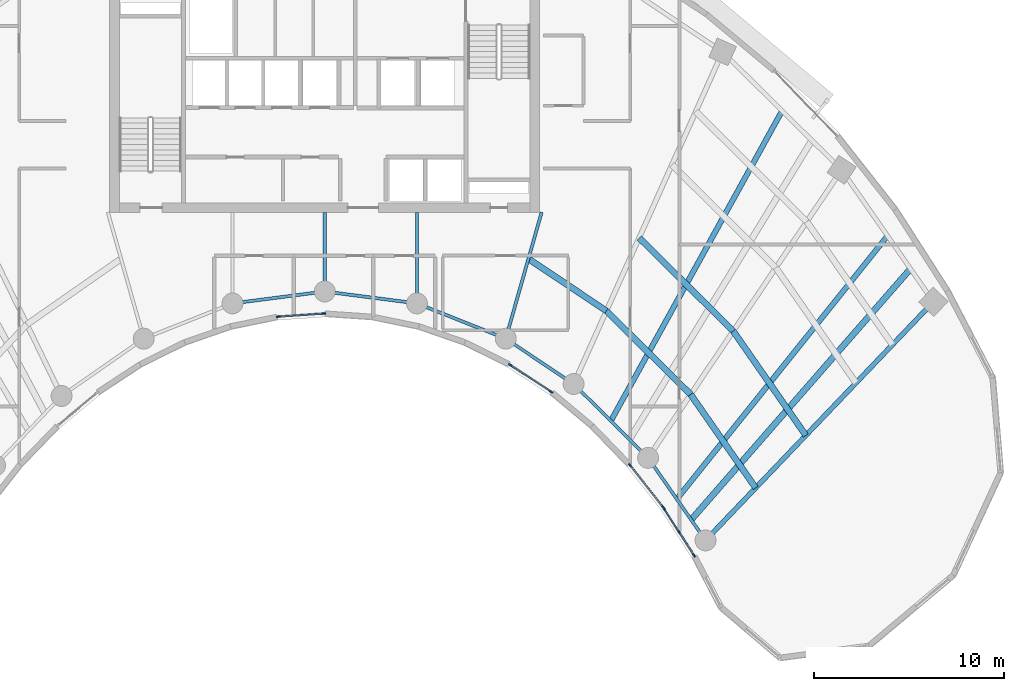
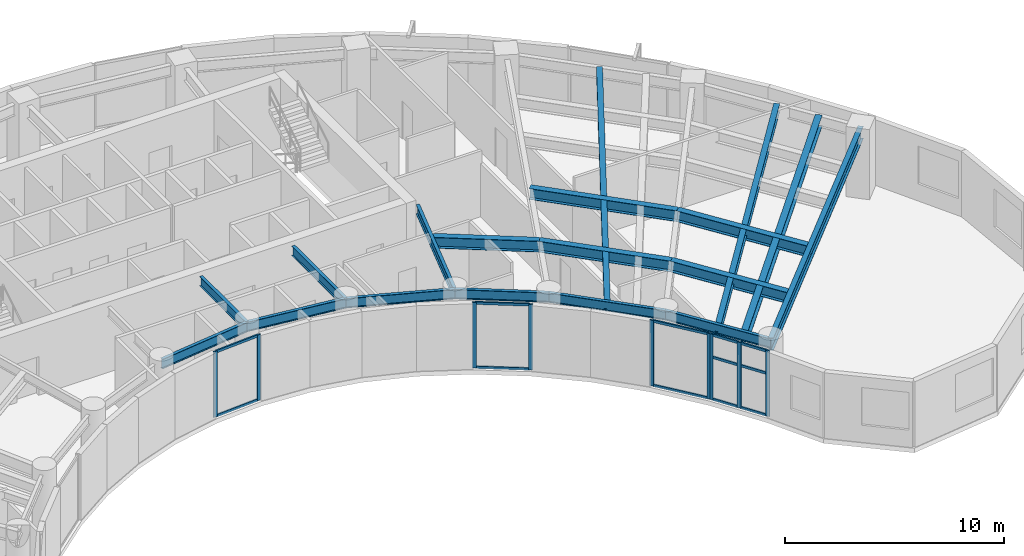
# One storey, part 3 of 13: 21 members, 18 beams, 4 elements without a shape of their own.
"""IFC4 building model written with IfcOpenShell, lengths in metres."""

from ifc_helpers import new_model, si_unit, direction, frame, origin, origin_2d, place, context, subcontext, project, spatial, rectangle, i_section, extrude, source, transform, mapped, material, layer, layer_set, material_profile, profile_set, type_object, type_shapes, element, aggregate, save


model = new_model("IFC4")

# Units and contexts
model_context = context("Model", 3, precision=1e-05, world=origin(), true_north=direction((0.0, 1.0)))
body_context = subcontext(model_context, "Body", "Model", "MODEL_VIEW")
ifc_project = project(units=[si_unit("LENGTHUNIT", "METRE"), si_unit("AREAUNIT", "SQUARE_METRE"), si_unit("VOLUMEUNIT", "CUBIC_METRE"), si_unit("PLANEANGLEUNIT", "RADIAN"), si_unit("MASSUNIT", "GRAM", prefix="KILO")], contexts=[model_context])

# Site, building, storey
site_placement = place(None, origin())
site = spatial("IfcSite", under=ifc_project, at=site_placement, CompositionType="ELEMENT")
building_placement = place(site_placement, origin())
building = spatial("IfcBuilding", under=site, at=building_placement, Name="Breltana Convention Tower", CompositionType="ELEMENT")
storey_placement = place(building_placement, frame((0.0, 0.0, 146.699951171875)))
storey = spatial("IfcBuildingStorey", under=building, at=storey_placement, Name="L35", CompositionType="ELEMENT", Elevation=146.699951171875)

# Beams
ifc_material_1 = material(Name="Steel ASTM A992 Grade 50", Category="steel")
ifc_material_profile_1 = material_profile(ifc_material_1, i_section(OverallWidth=0.25390625, OverallDepth=0.68798828125, WebThickness=0.01318359375, FlangeThickness=0.02099609375, at=origin_2d()), Name="W27X102")
ifc_profile_set_1 = profile_set([ifc_material_profile_1], Name="Steel ASTM A992 Grade 50")
beam_type_1 = type_object("IfcBeamType", Name="BM-RG-W27X102", PredefinedType="USERDEFINED", material=ifc_profile_set_1)
shared_shape_1 = source(origin(), body_context, "Body", "SweptSolid", [
    extrude(i_section(OverallWidth=0.25390625, OverallDepth=0.68798828125, WebThickness=0.01318359375, FlangeThickness=0.02099609375, at=origin_2d()), origin(), (0.0, 0.0, 1.0), 17.341064453125),
])
type_shapes(beam_type_1, [shared_shape_1])
beam_1_placement = place(storey_placement, frame((68.015380859375, 42.95458984375, 3.30615234375), z_axis=(0.690716462293, 0.723125693581, 0.0), x_axis=(-0.723125693581, 0.690716462293, 0.0)))
element("IfcBeam", 1, at=beam_1_placement, inside=storey, type_object=beam_type_1, Name="L35 Radial Floor Girder R11", ObjectType="GIRDER", PredefinedType="USERDEFINED", context=body_context, shape_type="MappedRepresentation", body=[
    mapped(shared_shape_1, transform((0.0, 0.0, 0.0), scale=1.0)),
])
ifc_material_profile_2 = material_profile(ifc_material_1, i_section(OverallWidth=0.166015625, OverallDepth=0.534912109375, WebThickness=0.01025390625, FlangeThickness=0.0166015625, at=origin_2d()), Name="W21X57")
ifc_profile_set_2 = profile_set([ifc_material_profile_2], Name="Steel ASTM A992 Grade 50")
beam_type_2 = type_object("IfcBeamType", Name="BM-BM-W21X57", PredefinedType="BEAM", material=ifc_profile_set_2)
shared_shape_2 = source(origin(), body_context, "Body", "SweptSolid", [
    extrude(i_section(OverallWidth=0.166015625, OverallDepth=0.534912109375, WebThickness=0.01025390625, FlangeThickness=0.0166015625, at=origin_2d()), origin(), (0.0, 0.0, 1.0), 6.904541015625),
])
type_shapes(beam_type_2, [shared_shape_2])
beam_2_placement = place(storey_placement, frame((59.39990234375, 60.199951171875, 3.382568359375), z_axis=(-0.273006781054, -0.962012108811, 0.0), x_axis=(0.962012108811, -0.273006781054, 0.0)))
element("IfcBeam", 2, at=beam_2_placement, inside=storey, type_object=beam_type_2, Name="L35 South Core Tie Girder R08", PredefinedType="BEAM", context=body_context, shape_type="MappedRepresentation", body=[
    mapped(shared_shape_2, transform((0.0, 0.0, 0.0), scale=1.0)),
])
shared_shape_3 = source(origin(), body_context, "Body", "SweptSolid", [
    extrude(i_section(OverallWidth=0.166015625, OverallDepth=0.534912109375, WebThickness=0.01025390625, FlangeThickness=0.0166015625, at=origin_2d()), origin(), (0.0, 0.0, 1.0), 4.789306640625),
])
beam_3_placement = place(storey_placement, frame((52.846435546875, 60.199951171875, 3.382568359375), z_axis=(0.0, -1.0, 0.0), x_axis=(1.0, 0.0, 0.0)))
element("IfcBeam", 3, at=beam_3_placement, inside=storey, type_object=beam_type_2, Name="L35 South Core Tie Girder R07", PredefinedType="BEAM", context=body_context, shape_type="MappedRepresentation", body=[
    mapped(shared_shape_3, transform((0.0, 0.0, 0.0), scale=1.0)),
])
shared_shape_4 = source(origin(), body_context, "Body", "SweptSolid", [
    extrude(i_section(OverallWidth=0.166015625, OverallDepth=0.534912109375, WebThickness=0.01025390625, FlangeThickness=0.0166015625, at=origin_2d()), origin(), (0.0, 0.0, 1.0), 4.1640625),
])
beam_4_placement = place(storey_placement, frame((48.0, 60.199951171875, 3.382568359375), z_axis=(0.0, -1.0, 0.0), x_axis=(1.0, 0.0, 0.0)))
element("IfcBeam", 4, at=beam_4_placement, inside=storey, type_object=beam_type_2, Name="L35 South Core Tie Girder R06", PredefinedType="BEAM", context=body_context, shape_type="MappedRepresentation", body=[
    mapped(shared_shape_4, transform((0.0, 0.0, 0.0), scale=1.0)),
])
shared_shape_5 = source(origin(), body_context, "Body", "SweptSolid", [
    extrude(i_section(OverallWidth=0.166015625, OverallDepth=0.534912109375, WebThickness=0.01025390625, FlangeThickness=0.0166015625, at=origin_2d()), origin(), (0.0, 0.0, 1.0), 5.022705078125),
])
beam_5_placement = place(storey_placement, frame((52.846435546875, 55.41064453125, 3.382568359375), z_axis=(0.929458966248, -0.368925507469, 0.0), x_axis=(0.368925507469, 0.929458966248, 0.0)))
element("IfcBeam", 5, at=beam_5_placement, inside=storey, type_object=beam_type_2, Name="L35 Inner Ring Beam 07", PredefinedType="BEAM", context=body_context, shape_type="MappedRepresentation", body=[
    mapped(shared_shape_5, transform((0.0, 0.0, 0.0), scale=1.0)),
])
shared_shape_6 = source(origin(), body_context, "Body", "SweptSolid", [
    extrude(i_section(OverallWidth=0.166015625, OverallDepth=0.534912109375, WebThickness=0.01025390625, FlangeThickness=0.0166015625, at=origin_2d()), origin(), (0.0, 0.0, 1.0), 4.88671875),
])
for number, where, z_axis, x_axis, name in (
    (6, (43.153564453125, 55.41064453125, 3.382568359375), (0.991780525565, 0.127950729231, 0.0), (-0.127950729231, 0.991780525565, 0.0), "L35 Inner Ring Beam 05"),
    (7, (48.0, 56.035888671875, 3.382568359375), (0.991780525565, -0.127950729231, 0.0), (0.127950729231, 0.991780525565, 0.0), "L35 Inner Ring Beam 06"),
):
    element("IfcBeam", number, at=place(storey_placement, frame(where, z_axis=z_axis, x_axis=x_axis)), inside=storey, type_object=beam_type_2, Name=name, PredefinedType="BEAM", context=body_context, shape_type="MappedRepresentation", body=[
        mapped(shared_shape_6, transform((0.0, 0.0, 0.0), scale=1.0)),
    ])
shared_shape_7 = source(origin(), body_context, "Body", "SweptSolid", [
    extrude(i_section(OverallWidth=0.166015625, OverallDepth=0.534912109375, WebThickness=0.01025390625, FlangeThickness=0.0166015625, at=origin_2d()), origin(), (0.0, 0.0, 1.0), 4.2900390625),
])
beam_6_placement = place(storey_placement, frame((57.514892578125, 53.5576171875, 3.382568359375), z_axis=(0.831515827753, -0.555501060482, 0.0), x_axis=(0.555501060482, 0.831515827753, 0.0)))
element("IfcBeam", 8, at=beam_6_placement, inside=storey, type_object=beam_type_2, Name="L35 Inner Ring Beam 08", PredefinedType="BEAM", context=body_context, shape_type="MappedRepresentation", body=[
    mapped(shared_shape_7, transform((0.0, 0.0, 0.0), scale=1.0)),
])
shared_shape_8 = source(origin(), body_context, "Body", "SweptSolid", [
    extrude(i_section(OverallWidth=0.166015625, OverallDepth=0.534912109375, WebThickness=0.01025390625, FlangeThickness=0.0166015625, at=origin_2d()), origin(), (0.0, 0.0, 1.0), 5.51171875),
])
beam_7_placement = place(storey_placement, frame((61.08203125, 51.174560546875, 3.382568359375), z_axis=(0.710090360749, -0.704110559196, 0.0), x_axis=(0.704110559196, 0.710090360749, 0.0)))
element("IfcBeam", 9, at=beam_7_placement, inside=storey, type_object=beam_type_2, Name="L35 Inner Ring Beam 09", PredefinedType="BEAM", context=body_context, shape_type="MappedRepresentation", body=[
    mapped(shared_shape_8, transform((0.0, 0.0, 0.0), scale=1.0)),
])
shared_shape_9 = source(origin(), body_context, "Body", "SweptSolid", [
    extrude(i_section(OverallWidth=0.166015625, OverallDepth=0.534912109375, WebThickness=0.01025390625, FlangeThickness=0.0166015625, at=origin_2d()), origin(), (0.0, 0.0, 1.0), 5.286376953125),
])
beam_8_placement = place(storey_placement, frame((64.995849609375, 47.293701171875, 3.382568359375), z_axis=(0.571194382458, -0.82081482531, 0.0), x_axis=(0.82081482531, 0.571194382458, 0.0)))
element("IfcBeam", 10, at=beam_8_placement, inside=storey, type_object=beam_type_2, Name="L35 Inner Ring Beam 10", PredefinedType="BEAM", context=body_context, shape_type="MappedRepresentation", body=[
    mapped(shared_shape_9, transform((0.0, 0.0, 0.0), scale=1.0)),
])
ifc_material_profile_3 = material_profile(ifc_material_1, i_section(OverallWidth=0.323974609375, OverallDepth=0.611083984375, WebThickness=0.0126953125, FlangeThickness=0.01904296875, at=origin_2d()), Name="W24X104")
ifc_profile_set_3 = profile_set([ifc_material_profile_3], Name="Steel ASTM A992 Grade 50")
beam_type_3 = type_object("IfcBeamType", Name="BM-JSG-01", PredefinedType="JOIST", material=ifc_profile_set_3)
shared_shape_10 = source(origin(), body_context, "Body", "SweptSolid", [
    extrude(i_section(OverallWidth=0.323974609375, OverallDepth=0.611083984375, WebThickness=0.0126953125, FlangeThickness=0.01904296875, at=origin_2d()), origin(), (0.0, 0.0, 1.0), 4.854736328125),
])
beam_9_placement = place(storey_placement, frame((58.767578125, 57.71240234375, 3.344482421875), z_axis=(0.831485074305, -0.555547091801, 0.0), x_axis=(0.555547091801, 0.831485074305, 0.0)))
element("IfcBeam", 11, at=beam_9_placement, inside=storey, type_object=beam_type_3, Name="L35 Composite Floor Joist 08.1", PredefinedType="JOIST", context=body_context, shape_type="MappedRepresentation", body=[
    mapped(shared_shape_10, transform((0.0, 0.0, 0.0), scale=1.0)),
])
shared_shape_11 = source(origin(), body_context, "Body", "SweptSolid", [
    extrude(i_section(OverallWidth=0.323974609375, OverallDepth=0.611083984375, WebThickness=0.0126953125, FlangeThickness=0.01904296875, at=origin_2d()), origin(), (0.0, 0.0, 1.0), 6.2373046875),
])
beam_10_placement = place(storey_placement, frame((62.80419921875, 55.015380859375, 3.344482421875), z_axis=(0.710114292485, -0.704086423394, 0.0), x_axis=(0.704086423394, 0.710114292485, 0.0)))
element("IfcBeam", 12, at=beam_10_placement, inside=storey, type_object=beam_type_3, Name="L35 Composite Floor Joist 09.1", PredefinedType="JOIST", context=body_context, shape_type="MappedRepresentation", body=[
    mapped(shared_shape_11, transform((0.0, 0.0, 0.0), scale=1.0)),
])
shared_shape_12 = source(origin(), body_context, "Body", "SweptSolid", [
    extrude(i_section(OverallWidth=0.323974609375, OverallDepth=0.611083984375, WebThickness=0.0126953125, FlangeThickness=0.01904296875, at=origin_2d()), origin(), (0.0, 0.0, 1.0), 6.963134765625),
])
beam_11_placement = place(storey_placement, frame((64.526611328125, 58.8564453125, 3.344482421875), z_axis=(0.71009817493, -0.704102678564, 0.0), x_axis=(0.704102678564, 0.71009817493, 0.0)))
element("IfcBeam", 13, at=beam_11_placement, inside=storey, type_object=beam_type_3, Name="L35 Composite Floor Joist 09.2", PredefinedType="JOIST", context=body_context, shape_type="MappedRepresentation", body=[
    mapped(shared_shape_12, transform((0.0, 0.0, 0.0), scale=1.0)),
])
ifc_material_profile_4 = material_profile(ifc_material_1, i_section(OverallWidth=0.280029296875, OverallDepth=0.462890625, WebThickness=0.0107421875, FlangeThickness=0.017333984375, at=origin_2d()), Name="W18X76")
ifc_profile_set_4 = profile_set([ifc_material_profile_4], Name="Steel ASTM A992 Grade 50")
beam_type_4 = type_object("IfcBeamType", Name="BM-JSG-06", PredefinedType="JOIST", material=ifc_profile_set_4)
shared_shape_13 = source(origin(), body_context, "Body", "SweptSolid", [
    extrude(i_section(OverallWidth=0.280029296875, OverallDepth=0.462890625, WebThickness=0.0107421875, FlangeThickness=0.017333984375, at=origin_2d()), origin(), (0.0, 0.0, 1.0), 18.617431640625),
])
beam_12_placement = place(storey_placement, frame((63.038818359375, 49.234130859375, 3.41845703125), z_axis=(0.483405602507, 0.875396495004, 0.0), x_axis=(-0.875396495004, 0.483405602507, 0.0)))
element("IfcBeam", 14, at=beam_12_placement, inside=storey, type_object=beam_type_4, Name="L35 Mid-Bay Radial Trimmer 09", PredefinedType="JOIST", context=body_context, shape_type="MappedRepresentation", body=[
    mapped(shared_shape_13, transform((0.0, 0.0, 0.0), scale=1.0)),
])
shared_shape_14 = source(origin(), body_context, "Body", "SweptSolid", [
    extrude(i_section(OverallWidth=0.323974609375, OverallDepth=0.611083984375, WebThickness=0.0126953125, FlangeThickness=0.01904296875, at=origin_2d()), origin(), (0.0, 0.0, 1.0), 5.982421875),
])
beam_13_placement = place(storey_placement, frame((67.2333984375, 50.623779296875, 3.344482421875), z_axis=(0.571211549446, -0.82080287876, 0.0), x_axis=(0.82080287876, 0.571211549446, 0.0)))
element("IfcBeam", 15, at=beam_13_placement, inside=storey, type_object=beam_type_3, Name="L35 Composite Floor Joist 10.1", PredefinedType="JOIST", context=body_context, shape_type="MappedRepresentation", body=[
    mapped(shared_shape_14, transform((0.0, 0.0, 0.0), scale=1.0)),
])
shared_shape_15 = source(origin(), body_context, "Body", "SweptSolid", [
    extrude(i_section(OverallWidth=0.323974609375, OverallDepth=0.611083984375, WebThickness=0.0126953125, FlangeThickness=0.01904296875, at=origin_2d()), origin(), (0.0, 0.0, 1.0), 6.677978515625),
])
beam_14_placement = place(storey_placement, frame((69.47119140625, 53.95361328125, 3.344482421875), z_axis=(0.571193018768, -0.820815774282, 0.0), x_axis=(0.820815774282, 0.571193018768, 0.0)))
element("IfcBeam", 16, at=beam_14_placement, inside=storey, type_object=beam_type_3, Name="L35 Composite Floor Joist 10.2", PredefinedType="JOIST", context=body_context, shape_type="MappedRepresentation", body=[
    mapped(shared_shape_15, transform((0.0, 0.0, 0.0), scale=1.0)),
])
shared_shape_16 = source(origin(), body_context, "Body", "SweptSolid", [
    extrude(i_section(OverallWidth=0.280029296875, OverallDepth=0.462890625, WebThickness=0.0107421875, FlangeThickness=0.017333984375, at=origin_2d()), origin(), (0.0, 0.0, 1.0), 17.7236328125),
])
beam_15_placement = place(storey_placement, frame((66.505615234375, 45.124267578125, 3.41845703125), z_axis=(0.624829427563, 0.78076128647, 0.0), x_axis=(-0.78076128647, 0.624829427563, 0.0)))
element("IfcBeam", 17, at=beam_15_placement, inside=storey, type_object=beam_type_4, Name="L35 Mid-Bay Radial Trimmer 10", PredefinedType="JOIST", context=body_context, shape_type="MappedRepresentation", body=[
    mapped(shared_shape_16, transform((0.0, 0.0, 0.0), scale=1.0)),
])
shared_shape_17 = source(origin(), body_context, "Body", "SweptSolid", [
    extrude(i_section(OverallWidth=0.323974609375, OverallDepth=0.611083984375, WebThickness=0.0126953125, FlangeThickness=0.01904296875, at=origin_2d()), origin(), (0.0, 0.0, 1.0), 17.515625),
])
beam_16_placement = place(storey_placement, frame((67.260498046875, 44.03955078125, 3.344482421875), z_axis=(0.658051548324, 0.752972881151, 0.0), x_axis=(-0.752972881151, 0.658051548324, 0.0)))
element("IfcBeam", 18, at=beam_16_placement, inside=storey, type_object=beam_type_3, Name="L35 Quarter-Bay Radial Trimmer 10", PredefinedType="JOIST", context=body_context, shape_type="MappedRepresentation", body=[
    mapped(shared_shape_17, transform((0.0, 0.0, 0.0), scale=1.0)),
])

# Curtain wall, members
ifc_material_2 = material(Name="Aluminium Anodised Bronze Frame", Category="aluminium")
ifc_layer = layer(ifc_material_2, 0.18994140625, Name="Aluminium Anodised Bronze Frame")
ifc_layer_set = layer_set([ifc_layer], Name="Aluminium Anodised Bronze Frame")
curtain_wall_type = type_object("IfcCurtainWallType", Name="CW-SYS-1", PredefinedType="NOTDEFINED", material=ifc_layer_set)
curtain_wall_1_placement = place(storey_placement, origin())
curtain_wall_1 = element("IfcCurtainWall", 19, at=curtain_wall_1_placement, inside=storey, type_object=curtain_wall_type, Name="L35 inner south-court glazing 1", PredefinedType="NOTDEFINED")
ifc_material_3 = material(Name="Aluminium Anodised Bronze", Category="aluminium")
ifc_material_profile_5 = material_profile(ifc_material_3, rectangle(XDim=0.080078125, YDim=0.199951171875, at=origin_2d()), Name="CWM-80X200")
ifc_profile_set_5 = profile_set([ifc_material_profile_5], Name="Aluminium Anodised Bronze")
member_type_1 = type_object("IfcMemberType", Name="CWM-200", PredefinedType="MULLION", material=ifc_profile_set_5)
shared_shape_18 = source(origin(), body_context, "Body", "SweptSolid", [
    extrude(rectangle(XDim=0.080078125, YDim=0.199951171875, at=origin_2d()), origin(), (0.0, 0.0, 1.0), 3.650146484375),
])
member_1_placement = place(storey_placement, frame((67.40966796875, 42.17041015625, 0.0), z_axis=(0.0, 0.0, 1.0), x_axis=(-0.841546744491, -0.540184298954, 0.0)))
member_1 = element("IfcMember", 20, at=member_1_placement, type_object=member_type_1, Name="CW-01 mullion 1", PredefinedType="MULLION", context=body_context, shape_type="MappedRepresentation", body=[
    mapped(shared_shape_18, transform((0.0, 0.0, 0.0), scale=1.0)),
])
member_2_placement = place(storey_placement, frame((66.626220703125, 43.390869140625, 0.0), z_axis=(0.0, 0.0, 1.0), x_axis=(-0.841546744491, -0.540184298954, 0.0)))
member_2 = element("IfcMember", 21, at=member_2_placement, type_object=member_type_1, Name="CW-01 mullion 2", PredefinedType="MULLION", context=body_context, shape_type="MappedRepresentation", body=[
    mapped(shared_shape_18, transform((0.0, 0.0, 0.0), scale=1.0)),
])
member_3_placement = place(storey_placement, frame((65.843017578125, 44.611328125, 0.0), z_axis=(0.0, 0.0, 1.0), x_axis=(-0.841546744491, -0.540184298954, 0.0)))
member_3 = element("IfcMember", 22, at=member_3_placement, type_object=member_type_1, Name="CW-01 mullion 3", PredefinedType="MULLION", context=body_context, shape_type="MappedRepresentation", body=[
    mapped(shared_shape_18, transform((0.0, 0.0, 0.0), scale=1.0)),
])

curtain_wall_2_placement = place(storey_placement, origin())
curtain_wall_2 = element("IfcCurtainWall", 23, at=curtain_wall_2_placement, inside=storey, type_object=curtain_wall_type, Name="L35 inner south-court glazing 2", PredefinedType="NOTDEFINED")
member_4_placement = place(storey_placement, frame((65.78662109375, 44.6904296875, 0.0), z_axis=(0.0, 0.0, 1.0), x_axis=(-0.786051168431, -0.618161435717, 0.0)))
member_4 = element("IfcMember", 24, at=member_4_placement, type_object=member_type_1, Name="CW-01 mullion 1", PredefinedType="MULLION", context=body_context, shape_type="MappedRepresentation", body=[
    mapped(shared_shape_18, transform((0.0, 0.0, 0.0), scale=1.0)),
])
member_5_placement = place(storey_placement, frame((64.045166015625, 46.905029296875, 0.0), z_axis=(0.0, 0.0, 1.0), x_axis=(-0.786051168431, -0.618161435717, 0.0)))
member_5 = element("IfcMember", 25, at=member_5_placement, type_object=member_type_1, Name="CW-01 mullion 2", PredefinedType="MULLION", context=body_context, shape_type="MappedRepresentation", body=[
    mapped(shared_shape_18, transform((0.0, 0.0, 0.0), scale=1.0)),
])

curtain_wall_3_placement = place(storey_placement, origin())
curtain_wall_3 = element("IfcCurtainWall", 26, at=curtain_wall_3_placement, inside=storey, type_object=curtain_wall_type, Name="L35 inner south-court glazing 3", PredefinedType="NOTDEFINED")
member_6_placement = place(storey_placement, frame((59.894775390625, 50.76904296875, 0.0), z_axis=(0.0, 0.0, 1.0), x_axis=(-0.548751973252, -0.835985210307, 0.0)))
member_6 = element("IfcMember", 27, at=member_6_placement, type_object=member_type_1, Name="CW-01 mullion 1", PredefinedType="MULLION", context=body_context, shape_type="MappedRepresentation", body=[
    mapped(shared_shape_18, transform((0.0, 0.0, 0.0), scale=1.0)),
])
member_7_placement = place(storey_placement, frame((57.744384765625, 52.1806640625, 0.0), z_axis=(0.0, 0.0, 1.0), x_axis=(-0.548751973252, -0.835985210307, 0.0)))
member_7 = element("IfcMember", 28, at=member_7_placement, type_object=member_type_1, Name="CW-01 mullion 2", PredefinedType="MULLION", context=body_context, shape_type="MappedRepresentation", body=[
    mapped(shared_shape_18, transform((0.0, 0.0, 0.0), scale=1.0)),
])

curtain_wall_4_placement = place(storey_placement, origin())
curtain_wall_4 = element("IfcCurtainWall", 29, at=curtain_wall_4_placement, inside=storey, type_object=curtain_wall_type, Name="L35 inner south-court glazing 4", PredefinedType="NOTDEFINED")
member_8_placement = place(storey_placement, frame((47.947998046875, 54.872802734375, 0.0), z_axis=(0.0, 0.0, 1.0), x_axis=(0.067732810965, -0.997703496195, 0.0)))
member_8 = element("IfcMember", 30, at=member_8_placement, type_object=member_type_1, Name="CW-01 mullion 1", PredefinedType="MULLION", context=body_context, shape_type="MappedRepresentation", body=[
    mapped(shared_shape_18, transform((0.0, 0.0, 0.0), scale=1.0)),
])
member_9_placement = place(storey_placement, frame((45.56201171875, 54.7109375, 0.0), z_axis=(0.0, 0.0, 1.0), x_axis=(0.067732810965, -0.997703496195, 0.0)))
member_9 = element("IfcMember", 31, at=member_9_placement, type_object=member_type_1, Name="CW-01 mullion 2", PredefinedType="MULLION", context=body_context, shape_type="MappedRepresentation", body=[
    mapped(shared_shape_18, transform((0.0, 0.0, 0.0), scale=1.0)),
])

# Member
ifc_material_profile_6 = material_profile(ifc_material_3, rectangle(XDim=0.080078125, YDim=0.139892578125, at=origin_2d()), Name="CWT-80X140")
ifc_profile_set_6 = profile_set([ifc_material_profile_6], Name="Aluminium Anodised Bronze")
member_type_2 = type_object("IfcMemberType", Name="CWT-140", PredefinedType="USERDEFINED", material=ifc_profile_set_6)
shared_shape_19 = source(origin(), body_context, "Body", "SweptSolid", [
    extrude(rectangle(XDim=0.080078125, YDim=0.139892578125, at=origin_2d()), origin(), (0.0, 0.0, 1.0), 1.3701171875),
])
member_10_placement = place(storey_placement, frame((67.38818359375, 42.2041015625, 0.0400390625), z_axis=(-0.540226175019, 0.841519863, 0.0), x_axis=(-0.841519863, -0.540226175019, 0.0)))
member_10 = element("IfcMember", 32, at=member_10_placement, type_object=member_type_2, Name="CW-01 transom 1.1", ObjectType="TRANSOM", PredefinedType="USERDEFINED", context=body_context, shape_type="MappedRepresentation", body=[
    mapped(shared_shape_19, transform((0.0, 0.0, 0.0), scale=1.0)),
])

member_11_placement = place(storey_placement, frame((67.38818359375, 42.2041015625, 2.37255859375), z_axis=(-0.540226175019, 0.841519863, 0.0), x_axis=(-0.841519863, -0.540226175019, 0.0)))
member_11 = element("IfcMember", 33, at=member_11_placement, type_object=member_type_2, Name="CW-01 transom 1.2", ObjectType="TRANSOM", PredefinedType="USERDEFINED", context=body_context, shape_type="MappedRepresentation", body=[
    mapped(shared_shape_19, transform((0.0, 0.0, 0.0), scale=1.0)),
])

member_12_placement = place(storey_placement, frame((67.38818359375, 42.2041015625, 3.610107421875), z_axis=(-0.540226175019, 0.841519863, 0.0), x_axis=(-0.841519863, -0.540226175019, 0.0)))
member_12 = element("IfcMember", 34, at=member_12_placement, type_object=member_type_2, Name="CW-01 transom 1.3", ObjectType="TRANSOM", PredefinedType="USERDEFINED", context=body_context, shape_type="MappedRepresentation", body=[
    mapped(shared_shape_19, transform((0.0, 0.0, 0.0), scale=1.0)),
])

member_13_placement = place(storey_placement, frame((66.604736328125, 43.424560546875, 0.0400390625), z_axis=(-0.540226175019, 0.841519863, 0.0), x_axis=(-0.841519863, -0.540226175019, 0.0)))
member_13 = element("IfcMember", 35, at=member_13_placement, type_object=member_type_2, Name="CW-01 transom 2.1", ObjectType="TRANSOM", PredefinedType="USERDEFINED", context=body_context, shape_type="MappedRepresentation", body=[
    mapped(shared_shape_19, transform((0.0, 0.0, 0.0), scale=1.0)),
])

member_14_placement = place(storey_placement, frame((66.604736328125, 43.424560546875, 2.37255859375), z_axis=(-0.540226175019, 0.841519863, 0.0), x_axis=(-0.841519863, -0.540226175019, 0.0)))
member_14 = element("IfcMember", 36, at=member_14_placement, type_object=member_type_2, Name="CW-01 transom 2.2", ObjectType="TRANSOM", PredefinedType="USERDEFINED", context=body_context, shape_type="MappedRepresentation", body=[
    mapped(shared_shape_19, transform((0.0, 0.0, 0.0), scale=1.0)),
])

member_15_placement = place(storey_placement, frame((66.604736328125, 43.424560546875, 3.610107421875), z_axis=(-0.540226175019, 0.841519863, 0.0), x_axis=(-0.841519863, -0.540226175019, 0.0)))
member_15 = element("IfcMember", 37, at=member_15_placement, type_object=member_type_2, Name="CW-01 transom 2.3", ObjectType="TRANSOM", PredefinedType="USERDEFINED", context=body_context, shape_type="MappedRepresentation", body=[
    mapped(shared_shape_19, transform((0.0, 0.0, 0.0), scale=1.0)),
])

aggregate(curtain_wall_1, [member_1, member_2, member_3, member_10, member_11, member_12, member_13, member_14, member_15])

shared_shape_20 = source(origin(), body_context, "Body", "SweptSolid", [
    extrude(rectangle(XDim=0.080078125, YDim=0.139892578125, at=origin_2d()), origin(), (0.0, 0.0, 1.0), 2.7373046875),
])
member_16_placement = place(storey_placement, frame((65.761962890625, 44.721923828125, 0.0400390625), z_axis=(-0.618179938224, 0.786036617453, 0.0), x_axis=(-0.786036617453, -0.618179938224, 0.0)))
member_16 = element("IfcMember", 38, at=member_16_placement, type_object=member_type_2, Name="CW-01 transom 1.1", ObjectType="TRANSOM", PredefinedType="USERDEFINED", context=body_context, shape_type="MappedRepresentation", body=[
    mapped(shared_shape_20, transform((0.0, 0.0, 0.0), scale=1.0)),
])

member_17_placement = place(storey_placement, frame((65.761962890625, 44.721923828125, 3.610107421875), z_axis=(-0.618179938224, 0.786036617453, 0.0), x_axis=(-0.786036617453, -0.618179938224, 0.0)))
member_17 = element("IfcMember", 39, at=member_17_placement, type_object=member_type_2, Name="CW-01 transom 1.2", ObjectType="TRANSOM", PredefinedType="USERDEFINED", context=body_context, shape_type="MappedRepresentation", body=[
    mapped(shared_shape_20, transform((0.0, 0.0, 0.0), scale=1.0)),
])

aggregate(curtain_wall_2, [member_4, member_5, member_16, member_17])

shared_shape_21 = source(origin(), body_context, "Body", "SweptSolid", [
    extrude(rectangle(XDim=0.080078125, YDim=0.139892578125, at=origin_2d()), origin(), (0.0, 0.0, 1.0), 2.4921875),
])
member_18_placement = place(storey_placement, frame((59.861328125, 50.791015625, 0.0400390625), z_axis=(-0.83597769484, 0.548763422369, 0.0), x_axis=(-0.548763422369, -0.83597769484, 0.0)))
member_18 = element("IfcMember", 40, at=member_18_placement, type_object=member_type_2, Name="CW-01 transom 1.1", ObjectType="TRANSOM", PredefinedType="USERDEFINED", context=body_context, shape_type="MappedRepresentation", body=[
    mapped(shared_shape_21, transform((0.0, 0.0, 0.0), scale=1.0)),
])

member_19_placement = place(storey_placement, frame((59.861328125, 50.791015625, 3.610107421875), z_axis=(-0.83597769484, 0.548763422369, 0.0), x_axis=(-0.548763422369, -0.83597769484, 0.0)))
member_19 = element("IfcMember", 41, at=member_19_placement, type_object=member_type_2, Name="CW-01 transom 1.2", ObjectType="TRANSOM", PredefinedType="USERDEFINED", context=body_context, shape_type="MappedRepresentation", body=[
    mapped(shared_shape_21, transform((0.0, 0.0, 0.0), scale=1.0)),
])

aggregate(curtain_wall_3, [member_6, member_7, member_18, member_19])

shared_shape_22 = source(origin(), body_context, "Body", "SweptSolid", [
    extrude(rectangle(XDim=0.080078125, YDim=0.139892578125, at=origin_2d()), origin(), (0.0, 0.0, 1.0), 2.3115234375),
])
member_20_placement = place(storey_placement, frame((47.907958984375, 54.8701171875, 0.0400390625), z_axis=(-0.997705471663, -0.067703706049, 0.0), x_axis=(0.067703706049, -0.997705471663, 0.0)))
member_20 = element("IfcMember", 42, at=member_20_placement, type_object=member_type_2, Name="CW-01 transom 1.1", ObjectType="TRANSOM", PredefinedType="USERDEFINED", context=body_context, shape_type="MappedRepresentation", body=[
    mapped(shared_shape_22, transform((0.0, 0.0, 0.0), scale=1.0)),
])

member_21_placement = place(storey_placement, frame((47.907958984375, 54.8701171875, 3.610107421875), z_axis=(-0.997705471663, -0.067703706049, 0.0), x_axis=(0.067703706049, -0.997705471663, 0.0)))
member_21 = element("IfcMember", 43, at=member_21_placement, type_object=member_type_2, Name="CW-01 transom 1.2", ObjectType="TRANSOM", PredefinedType="USERDEFINED", context=body_context, shape_type="MappedRepresentation", body=[
    mapped(shared_shape_22, transform((0.0, 0.0, 0.0), scale=1.0)),
])

aggregate(curtain_wall_4, [member_8, member_9, member_20, member_21])

save(model, "model.ifc")
